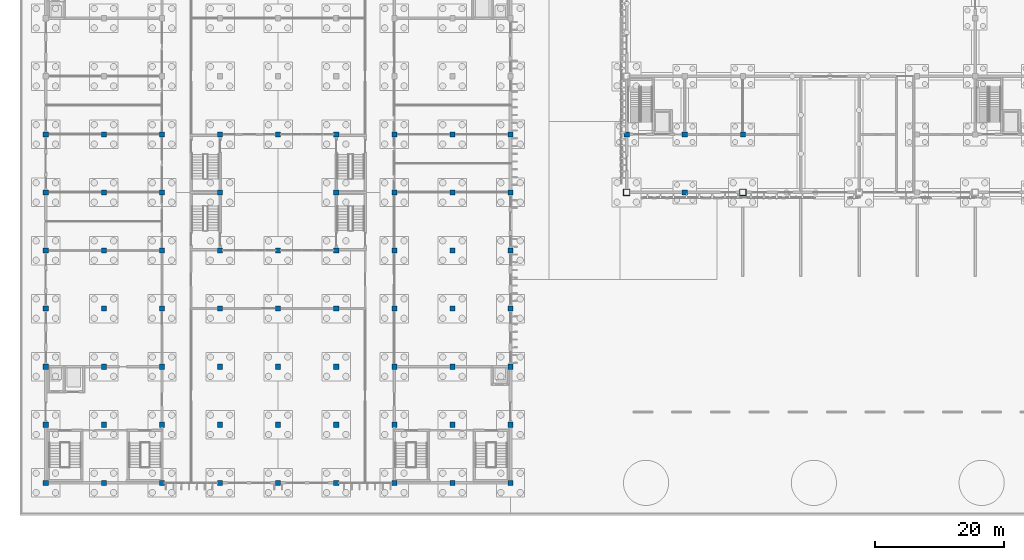
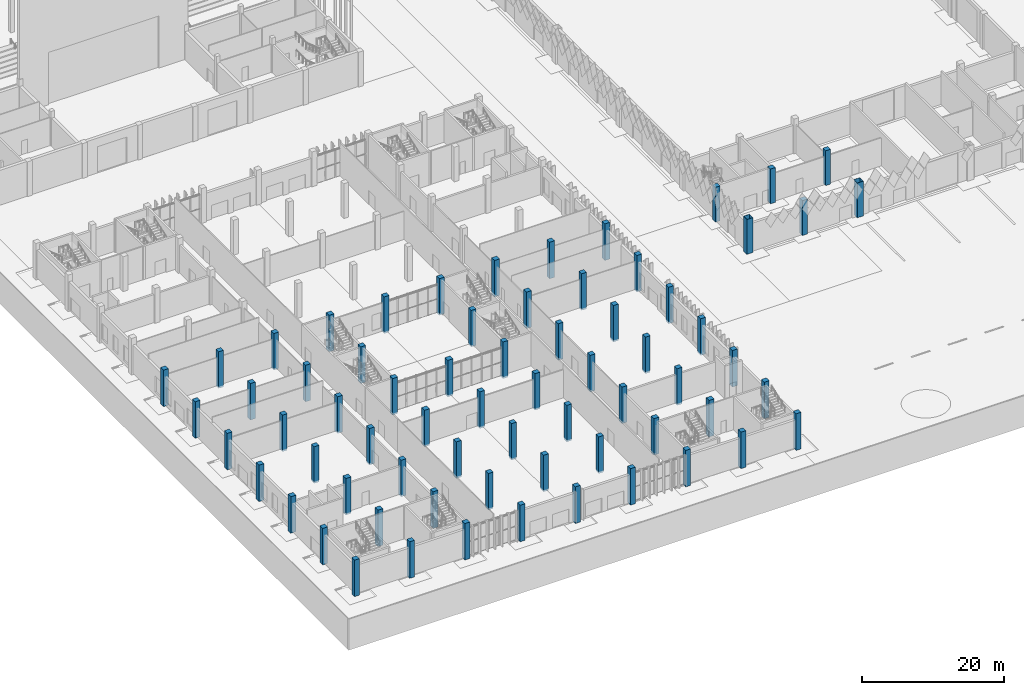
# One storey, part 18 of 198: 68 columns.
"""IFC4 building model written with IfcOpenShell, lengths in metres."""

from ifc_helpers import new_model, si_unit, direction, frame, origin, origin_2d, place, context, subcontext, project, spatial, rectangle, hollow_rectangle, extrude, material, material_profile, profile_set, type_object, element, save


model = new_model("IFC4")

# Units and contexts
model_context = context("Model", 3, precision=1e-05, world=origin(), true_north=direction((0.0, 1.0)))
body_context = subcontext(model_context, "Body", "Model", "MODEL_VIEW")
ifc_project = project(units=[si_unit("LENGTHUNIT", "METRE"), si_unit("AREAUNIT", "SQUARE_METRE"), si_unit("VOLUMEUNIT", "CUBIC_METRE"), si_unit("PLANEANGLEUNIT", "RADIAN"), si_unit("MASSUNIT", "GRAM", prefix="KILO")], contexts=[model_context])

# Site, building, storey
site_placement = place(None, origin())
site = spatial("IfcSite", under=ifc_project, at=site_placement, CompositionType="ELEMENT")
building_placement = place(site_placement, origin())
building = spatial("IfcBuilding", under=site, at=building_placement, Name="Opaline Strait Convention Centre", CompositionType="ELEMENT")
storey_placement = place(building_placement, origin())
storey = spatial("IfcBuildingStorey", under=building, at=storey_placement, Name="L00", CompositionType="ELEMENT", Elevation=0.0)

# Columns
ifc_material_1 = material(Name="Steel Q355B", Category="steel")
ifc_material_profile_1 = material_profile(ifc_material_1, hollow_rectangle(XDim=1.0, YDim=1.0, WallThickness=0.031982421875, at=origin_2d()), Name="BOX 1000x1000x32")
ifc_profile_set_1 = profile_set([ifc_material_profile_1], Name="Steel Q355B")
column_type_1 = type_object("IfcColumnType", Name="CFT column BOX 1000x1000x32 C60 fill", PredefinedType="COLUMN", material=ifc_profile_set_1)
for number, where, z_axis, x_axis, name in (
    (1, (99.0, 54.0, 0.0), (0.0, 0.0, 1.0), (1.0, 0.0, 0.0), "Roof column XC-01"),
    (2, (117.0, 54.0, 0.0), (0.0, 0.0, 1.0), (1.0, 0.0, 0.0), "Roof column XC-08"),
):
    element("IfcColumn", number, at=place(storey_placement, frame(where, z_axis=z_axis, x_axis=x_axis)), inside=storey, type_object=column_type_1, Name=name, ObjectType="XC1", PredefinedType="COLUMN", context=body_context, shape_type="SweptSolid", body=[
        extrude(hollow_rectangle(XDim=1.0, YDim=1.0, WallThickness=0.031982421875, at=origin_2d()), origin(), (0.0, 0.0, 1.0), 6.0),
    ])
ifc_material_2 = material(Name="Concrete C40", Category="concrete")
ifc_material_profile_2 = material_profile(ifc_material_2, rectangle(XDim=0.800048828125, YDim=0.800048828125, at=origin_2d()), Name="RC 800x800")
ifc_profile_set_2 = profile_set([ifc_material_profile_2], Name="Concrete C40")
column_type_2 = type_object("IfcColumnType", Name="RC column 800x800 C40", PredefinedType="COLUMN", material=ifc_profile_set_2)
for number, where, z_axis, x_axis, name in (
    (3, (108.0, 54.0, 0.0), (0.0, 0.0, 1.0), (1.0, 0.0, 0.0), "Strip column XC-31"),
    (4, (99.0, 63.0, 0.0), (0.0, 0.0, 1.0), (1.0, 0.0, 0.0), "Strip column XC-37"),
    (5, (108.0, 63.0, 0.0), (0.0, 0.0, 1.0), (1.0, 0.0, 0.0), "Strip column XC-38"),
    (6, (117.0, 63.0, 0.0), (0.0, 0.0, 1.0), (1.0, 0.0, 0.0), "Strip column XC-39"),
):
    element("IfcColumn", number, at=place(storey_placement, frame(where, z_axis=z_axis, x_axis=x_axis)), inside=storey, type_object=column_type_2, Name=name, ObjectType="XC2", PredefinedType="COLUMN", context=body_context, shape_type="SweptSolid", body=[
        extrude(rectangle(XDim=0.800048828125, YDim=0.800048828125, at=origin_2d()), origin(), (0.0, 0.0, 1.0), 6.0),
    ])
for number, where, z_axis, x_axis, name in (
    (7, (9.0, 9.0, -0.300048828125), (0.0, 0.0, 1.0), (1.0, 0.0, 0.0), "RC1 L00 at 9/9"),
    (8, (9.0, 18.0, -0.300048828125), (0.0, 0.0, 1.0), (1.0, 0.0, 0.0), "RC1 L00 at 9/18"),
    (9, (9.0, 27.0, -0.300048828125), (0.0, 0.0, 1.0), (1.0, 0.0, 0.0), "RC1 L00 at 9/27"),
    (10, (9.0, 36.0, -0.300048828125), (0.0, 0.0, 1.0), (1.0, 0.0, 0.0), "RC1 L00 at 9/36"),
    (11, (9.0, 45.0, -0.300048828125), (0.0, 0.0, 1.0), (1.0, 0.0, 0.0), "RC1 L00 at 9/45"),
    (12, (9.0, 54.0, -0.300048828125), (0.0, 0.0, 1.0), (1.0, 0.0, 0.0), "RC1 L00 at 9/54"),
    (13, (9.0, 63.0, -0.300048828125), (0.0, 0.0, 1.0), (1.0, 0.0, 0.0), "RC1 L00 at 9/63"),
    (14, (18.0, 9.0, -0.300048828125), (0.0, 0.0, 1.0), (1.0, 0.0, 0.0), "RC1 L00 at 18/9"),
    (15, (18.0, 18.0, -0.300048828125), (0.0, 0.0, 1.0), (1.0, 0.0, 0.0), "RC1 L00 at 18/18"),
    (16, (18.0, 27.0, -0.300048828125), (0.0, 0.0, 1.0), (1.0, 0.0, 0.0), "RC1 L00 at 18/27"),
    (17, (18.0, 36.0, -0.300048828125), (0.0, 0.0, 1.0), (1.0, 0.0, 0.0), "RC1 L00 at 18/36"),
    (18, (18.0, 45.0, -0.300048828125), (0.0, 0.0, 1.0), (1.0, 0.0, 0.0), "RC1 L00 at 18/45"),
    (19, (18.0, 54.0, -0.300048828125), (0.0, 0.0, 1.0), (1.0, 0.0, 0.0), "RC1 L00 at 18/54"),
    (20, (18.0, 63.0, -0.300048828125), (0.0, 0.0, 1.0), (1.0, 0.0, 0.0), "RC1 L00 at 18/63"),
    (21, (27.0, 9.0, -0.300048828125), (0.0, 0.0, 1.0), (1.0, 0.0, 0.0), "RC1 L00 at 27/9"),
    (22, (27.0, 18.0, -0.300048828125), (0.0, 0.0, 1.0), (1.0, 0.0, 0.0), "RC1 L00 at 27/18"),
    (23, (27.0, 27.0, -0.300048828125), (0.0, 0.0, 1.0), (1.0, 0.0, 0.0), "RC1 L00 at 27/27"),
    (24, (27.0, 36.0, -0.300048828125), (0.0, 0.0, 1.0), (1.0, 0.0, 0.0), "RC1 L00 at 27/36"),
    (25, (27.0, 45.0, -0.300048828125), (0.0, 0.0, 1.0), (1.0, 0.0, 0.0), "RC1 L00 at 27/45"),
    (26, (27.0, 54.0, -0.300048828125), (0.0, 0.0, 1.0), (1.0, 0.0, 0.0), "RC1 L00 at 27/54"),
    (27, (27.0, 63.0, -0.300048828125), (0.0, 0.0, 1.0), (1.0, 0.0, 0.0), "RC1 L00 at 27/63"),
    (28, (36.0, 9.0, -0.300048828125), (0.0, 0.0, 1.0), (1.0, 0.0, 0.0), "RC1 L00 at 36/9"),
    (29, (36.0, 18.0, -0.300048828125), (0.0, 0.0, 1.0), (1.0, 0.0, 0.0), "RC1 L00 at 36/18"),
    (30, (36.0, 27.0, -0.300048828125), (0.0, 0.0, 1.0), (1.0, 0.0, 0.0), "RC1 L00 at 36/27"),
    (31, (36.0, 36.0, -0.300048828125), (0.0, 0.0, 1.0), (1.0, 0.0, 0.0), "RC1 L00 at 36/36"),
    (32, (36.0, 45.0, -0.300048828125), (0.0, 0.0, 1.0), (1.0, 0.0, 0.0), "RC1 L00 at 36/45"),
    (33, (36.0, 54.0, -0.300048828125), (0.0, 0.0, 1.0), (1.0, 0.0, 0.0), "RC1 L00 at 36/54"),
    (34, (36.0, 63.0, -0.300048828125), (0.0, 0.0, 1.0), (1.0, 0.0, 0.0), "RC1 L00 at 36/63"),
    (35, (45.0, 9.0, -0.300048828125), (0.0, 0.0, 1.0), (1.0, 0.0, 0.0), "RC1 L00 at 45/9"),
    (36, (45.0, 18.0, -0.300048828125), (0.0, 0.0, 1.0), (1.0, 0.0, 0.0), "RC1 L00 at 45/18"),
    (37, (45.0, 27.0, -0.300048828125), (0.0, 0.0, 1.0), (1.0, 0.0, 0.0), "RC1 L00 at 45/27"),
    (38, (45.0, 36.0, -0.300048828125), (0.0, 0.0, 1.0), (1.0, 0.0, 0.0), "RC1 L00 at 45/36"),
    (39, (45.0, 45.0, -0.300048828125), (0.0, 0.0, 1.0), (1.0, 0.0, 0.0), "RC1 L00 at 45/45"),
    (40, (45.0, 63.0, -0.300048828125), (0.0, 0.0, 1.0), (1.0, 0.0, 0.0), "RC1 L00 at 45/63"),
    (41, (54.0, 9.0, -0.300048828125), (0.0, 0.0, 1.0), (1.0, 0.0, 0.0), "RC1 L00 at 54/9"),
    (42, (54.0, 18.0, -0.300048828125), (0.0, 0.0, 1.0), (1.0, 0.0, 0.0), "RC1 L00 at 54/18"),
    (43, (54.0, 27.0, -0.300048828125), (0.0, 0.0, 1.0), (1.0, 0.0, 0.0), "RC1 L00 at 54/27"),
    (44, (54.0, 36.0, -0.300048828125), (0.0, 0.0, 1.0), (1.0, 0.0, 0.0), "RC1 L00 at 54/36"),
    (45, (54.0, 45.0, -0.300048828125), (0.0, 0.0, 1.0), (1.0, 0.0, 0.0), "RC1 L00 at 54/45"),
    (46, (54.0, 54.0, -0.300048828125), (0.0, 0.0, 1.0), (1.0, 0.0, 0.0), "RC1 L00 at 54/54"),
    (47, (54.0, 63.0, -0.300048828125), (0.0, 0.0, 1.0), (1.0, 0.0, 0.0), "RC1 L00 at 54/63"),
    (48, (63.0, 9.0, -0.300048828125), (0.0, 0.0, 1.0), (1.0, 0.0, 0.0), "RC1 L00 at 63/9"),
    (49, (63.0, 18.0, -0.300048828125), (0.0, 0.0, 1.0), (1.0, 0.0, 0.0), "RC1 L00 at 63/18"),
    (50, (63.0, 27.0, -0.300048828125), (0.0, 0.0, 1.0), (1.0, 0.0, 0.0), "RC1 L00 at 63/27"),
    (51, (63.0, 36.0, -0.300048828125), (0.0, 0.0, 1.0), (1.0, 0.0, 0.0), "RC1 L00 at 63/36"),
    (52, (63.0, 45.0, -0.300048828125), (0.0, 0.0, 1.0), (1.0, 0.0, 0.0), "RC1 L00 at 63/45"),
    (53, (63.0, 54.0, -0.300048828125), (0.0, 0.0, 1.0), (1.0, 0.0, 0.0), "RC1 L00 at 63/54"),
    (54, (63.0, 63.0, -0.300048828125), (0.0, 0.0, 1.0), (1.0, 0.0, 0.0), "RC1 L00 at 63/63"),
    (55, (72.0, 9.0, -0.300048828125), (0.0, 0.0, 1.0), (1.0, 0.0, 0.0), "RC1 L00 at 72/9"),
    (56, (72.0, 18.0, -0.300048828125), (0.0, 0.0, 1.0), (1.0, 0.0, 0.0), "RC1 L00 at 72/18"),
    (57, (72.0, 27.0, -0.300048828125), (0.0, 0.0, 1.0), (1.0, 0.0, 0.0), "RC1 L00 at 72/27"),
    (58, (72.0, 36.0, -0.300048828125), (0.0, 0.0, 1.0), (1.0, 0.0, 0.0), "RC1 L00 at 72/36"),
    (59, (72.0, 45.0, -0.300048828125), (0.0, 0.0, 1.0), (1.0, 0.0, 0.0), "RC1 L00 at 72/45"),
    (60, (72.0, 54.0, -0.300048828125), (0.0, 0.0, 1.0), (1.0, 0.0, 0.0), "RC1 L00 at 72/54"),
    (61, (72.0, 63.0, -0.300048828125), (0.0, 0.0, 1.0), (1.0, 0.0, 0.0), "RC1 L00 at 72/63"),
    (62, (81.0, 9.0, -0.300048828125), (0.0, 0.0, 1.0), (1.0, 0.0, 0.0), "RC1 L00 at 81/9"),
    (63, (81.0, 18.0, -0.300048828125), (0.0, 0.0, 1.0), (1.0, 0.0, 0.0), "RC1 L00 at 81/18"),
    (64, (81.0, 27.0, -0.300048828125), (0.0, 0.0, 1.0), (1.0, 0.0, 0.0), "RC1 L00 at 81/27"),
    (65, (81.0, 36.0, -0.300048828125), (0.0, 0.0, 1.0), (1.0, 0.0, 0.0), "RC1 L00 at 81/36"),
    (66, (81.0, 45.0, -0.300048828125), (0.0, 0.0, 1.0), (1.0, 0.0, 0.0), "RC1 L00 at 81/45"),
    (67, (81.0, 54.0, -0.300048828125), (0.0, 0.0, 1.0), (1.0, 0.0, 0.0), "RC1 L00 at 81/54"),
    (68, (81.0, 63.0, -0.300048828125), (0.0, 0.0, 1.0), (1.0, 0.0, 0.0), "RC1 L00 at 81/63"),
):
    element("IfcColumn", number, at=place(storey_placement, frame(where, z_axis=z_axis, x_axis=x_axis)), inside=storey, type_object=column_type_2, Name=name, PredefinedType="COLUMN", context=body_context, shape_type="SweptSolid", body=[
        extrude(rectangle(XDim=0.800048828125, YDim=0.800048828125, at=origin_2d()), origin(), (0.0, 0.0, 1.0), 6.300048828125),
    ])

save(model, "model.ifc")
